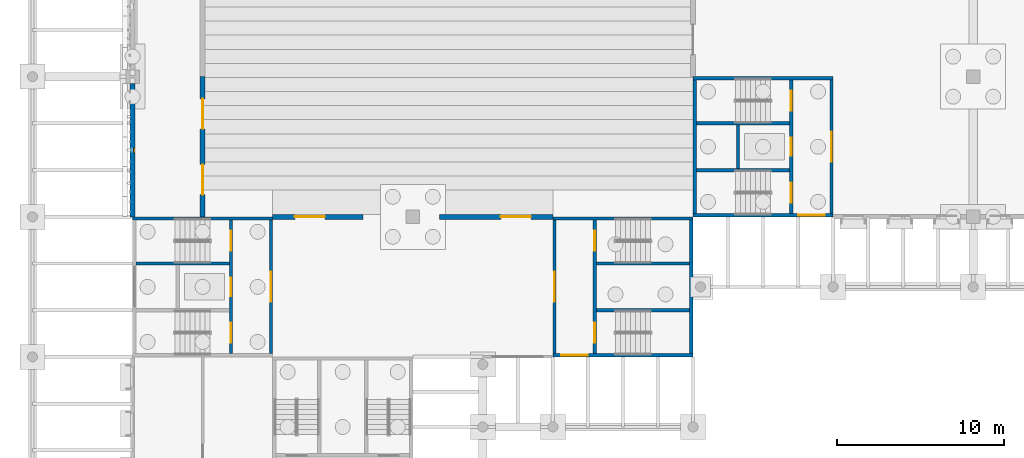
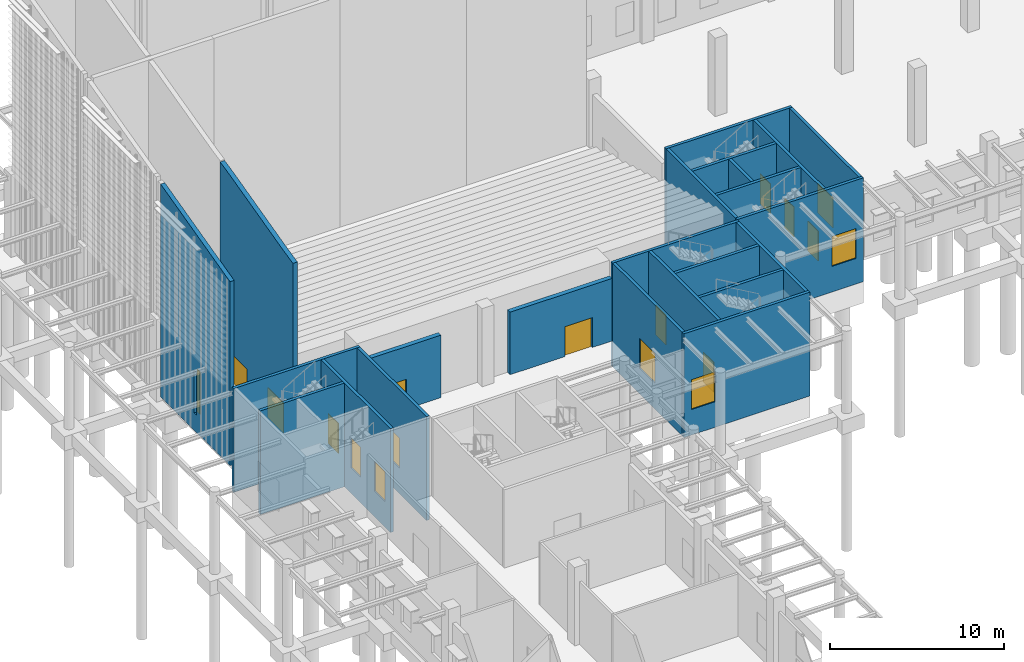
# One storey, part 33 of 82: 23 walls, 17 doors, 1 window, 18 openings.
"""IFC4 building model written with IfcOpenShell, lengths in metres."""

from ifc_helpers import new_model, si_unit, direction, frame, frame_2d, origin, place, context, subcontext, project, spatial, polyline, rectangle, outline, extrude, material, layer, layer_set, type_object, element, fill, save


model = new_model("IFC4")

# Units and contexts
model_context = context("Model", 3, precision=1e-05, world=origin(), true_north=direction((0.0, 1.0)))
body_context = subcontext(model_context, "Body", "Model", "MODEL_VIEW")
ifc_project = project(units=[si_unit("LENGTHUNIT", "METRE"), si_unit("AREAUNIT", "SQUARE_METRE"), si_unit("VOLUMEUNIT", "CUBIC_METRE"), si_unit("PLANEANGLEUNIT", "RADIAN"), si_unit("MASSUNIT", "GRAM", prefix="KILO")], contexts=[model_context])

# Site, building, storey
site_placement = place(None, origin())
site = spatial("IfcSite", under=ifc_project, at=site_placement, CompositionType="ELEMENT")
building_placement = place(site_placement, origin())
building = spatial("IfcBuilding", under=site, at=building_placement, Name="Almond Square Museum", CompositionType="ELEMENT")
storey_placement = place(building_placement, origin())
storey = spatial("IfcBuildingStorey", under=building, at=storey_placement, Name="L00", CompositionType="ELEMENT", Elevation=0.0)

# Wall, openings, doors
ifc_material_1 = material(Name="Acoustic gypsum board on double steel stud", Category="steel")
ifc_layer_1 = layer(ifc_material_1, 0.300048828125)
ifc_layer_set_1 = layer_set([ifc_layer_1], Name="Acoustic gypsum board on double steel stud")
wall_type_1 = type_object("IfcWallType", Name="Acoustic wall 300 double stud", PredefinedType="PARTITIONING", material=ifc_layer_set_1)
wall_1_placement = place(storey_placement, frame((10.199951171875, 84.0, 0.0), z_axis=(0.0, 0.0, 1.0), x_axis=(0.0, 1.0, 0.0)))
wall_1 = element("IfcWall", 1, at=wall_1_placement, inside=storey, type_object=wall_type_1, Name="L00 partition 27", PredefinedType="PARTITIONING", context=body_context, shape_type="SweptSolid", body=[
    extrude(outline(polyline([(0.0, 0.0), (8.39990234375, 0.0), (8.39990234375, 14.81201171875), (7.35009765625, 14.583984375), (6.300048828125, 14.319091796875), (5.25, 14.052978515625), (4.199951171875, 13.7880859375), (2.10009765625, 13.256103515625), (1.050048828125, 12.990966796875), (0.0, 12.762939453125), (0.0, 0.0)])), frame((0.0, 0.14990234375, 0.0), z_axis=(0.0, -1.0, 0.0), x_axis=(1.0, 0.0, 0.0)), (0.0, 0.0, 1.0), 0.300048828125),
])
opening_1_placement = place(wall_1_placement, frame((1.324951171875, 0.0, 0.0)))
opening_1 = element("IfcOpeningElement", 2, at=opening_1_placement, cuts=wall_1, Name="Opening D0147", PredefinedType="OPENING", context=body_context, shape_type="SweptSolid", body=[
    extrude(rectangle(XDim=1.800048828125, YDim=2.10009765625, at=frame_2d((0.89990234375, 1.050048828125))), frame((0.0, 0.159912109375, 0.0), z_axis=(0.0, -1.0, 0.0), x_axis=(1.0, 0.0, 0.0)), (0.0, 0.0, 1.0), 0.320068359375),
])
opening_2_placement = place(wall_1_placement, frame((5.27490234375, 0.0, 0.0)))
opening_2 = element("IfcOpeningElement", 3, at=opening_2_placement, cuts=wall_1, Name="Opening D0148", PredefinedType="OPENING", context=body_context, shape_type="SweptSolid", body=[
    extrude(rectangle(XDim=1.800048828125, YDim=2.10009765625, at=frame_2d((0.89990234375, 1.050048828125))), frame((0.0, 0.159912109375, 0.0), z_axis=(0.0, -1.0, 0.0), x_axis=(1.0, 0.0, 0.0)), (0.0, 0.0, 1.0), 0.320068359375),
])
ifc_material_2 = material(Name="Steel", Category="steel")
door_type_1 = type_object("IfcDoorType", Name="Fire door 1800 x 2100 FD60 double", OperationType="NOTDEFINED", PredefinedType="DOOR", material=ifc_material_2)
door_1_placement = place(opening_1_placement, origin())
door_1 = element("IfcDoor", 4, at=door_1_placement, inside=storey, type_object=door_type_1, Name="L00 door Auditorium Side Passage to Auditorium", OperationType="DOUBLE_DOOR_SINGLE_SWING", OverallHeight=2.10009765625, OverallWidth=1.800048828125, PredefinedType="DOOR", context=body_context, shape_type="SweptSolid", body=[
    extrude(rectangle(XDim=1.800048828125, YDim=2.10009765625, at=frame_2d((0.89990234375, 1.050048828125))), frame((0.0, 0.02490234375, 0.0), z_axis=(0.0, -1.0, 0.0), x_axis=(1.0, 0.0, 0.0)), (0.0, 0.0, 1.0), 0.050048828125),
])
fill(opening_1, door_1)
door_2_placement = place(opening_2_placement, origin())
door_2 = element("IfcDoor", 5, at=door_2_placement, inside=storey, type_object=door_type_1, Name="L00 door Auditorium Side Passage to Auditorium", OperationType="DOUBLE_DOOR_SINGLE_SWING", OverallHeight=2.10009765625, OverallWidth=1.800048828125, PredefinedType="DOOR", context=body_context, shape_type="SweptSolid", body=[
    extrude(rectangle(XDim=1.800048828125, YDim=2.10009765625, at=frame_2d((0.89990234375, 1.050048828125))), frame((0.0, 0.02490234375, 0.0), z_axis=(0.0, -1.0, 0.0), x_axis=(1.0, 0.0, 0.0)), (0.0, 0.0, 1.0), 0.050048828125),
])
fill(opening_2, door_2)

# Wall, opening, door
wall_2_placement = place(storey_placement, frame((24.39990234375, 84.0, 0.0), z_axis=(0.0, 0.0, 1.0), x_axis=(1.0, 0.0, 0.0)))
wall_2 = element("IfcWall", 6, at=wall_2_placement, inside=storey, type_object=wall_type_1, Name="L00 partition 29", PredefinedType="PARTITIONING", context=body_context, shape_type="SweptSolid", body=[
    extrude(rectangle(XDim=6.800048828125, YDim=0.300048828125, at=frame_2d((3.39990234375, 0.0))), origin(), (0.0, 0.0, 1.0), 4.39990234375),
])
opening_3_placement = place(wall_2_placement, frame((3.675048828125, 0.0, 0.0)))
opening_3 = element("IfcOpeningElement", 7, at=opening_3_placement, cuts=wall_2, Name="Opening D0150", PredefinedType="OPENING", context=body_context, shape_type="SweptSolid", body=[
    extrude(rectangle(XDim=1.800048828125, YDim=2.10009765625, at=frame_2d((0.89990234375, 1.050048828125))), frame((0.0, 0.159912109375, 0.0), z_axis=(0.0, -1.0, 0.0), x_axis=(1.0, 0.0, 0.0)), (0.0, 0.0, 1.0), 0.320068359375),
])
door_3_placement = place(opening_3_placement, origin())
door_3 = element("IfcDoor", 8, at=door_3_placement, inside=storey, type_object=door_type_1, Name="L00 door Auditorium to Auditorium Foyer", OperationType="DOUBLE_DOOR_SINGLE_SWING", OverallHeight=2.10009765625, OverallWidth=1.800048828125, PredefinedType="DOOR", context=body_context, shape_type="SweptSolid", body=[
    extrude(rectangle(XDim=1.800048828125, YDim=2.10009765625, at=frame_2d((0.89990234375, 1.050048828125))), frame((0.0, 0.02490234375, 0.0), z_axis=(0.0, -1.0, 0.0), x_axis=(1.0, 0.0, 0.0)), (0.0, 0.0, 1.0), 0.050048828125),
])
fill(opening_3, door_3)

wall_3_placement = place(storey_placement, frame((14.39990234375, 84.0, 0.0), z_axis=(0.0, 0.0, 1.0), x_axis=(1.0, 0.0, 0.0)))
wall_3 = element("IfcWall", 9, at=wall_3_placement, inside=storey, type_object=wall_type_1, Name="L00 partition 30", PredefinedType="PARTITIONING", context=body_context, shape_type="SweptSolid", body=[
    extrude(rectangle(XDim=5.400146484375, YDim=0.300048828125, at=frame_2d((2.7001953125, 0.0))), origin(), (0.0, 0.0, 1.0), 4.39990234375),
])
opening_4_placement = place(wall_3_placement, frame((1.324951171875, 0.0, 0.0)))
opening_4 = element("IfcOpeningElement", 10, at=opening_4_placement, cuts=wall_3, Name="Opening D0149", PredefinedType="OPENING", context=body_context, shape_type="SweptSolid", body=[
    extrude(rectangle(XDim=1.800048828125, YDim=2.10009765625, at=frame_2d((0.89990234375, 1.050048828125))), frame((0.0, 0.159912109375, 0.0), z_axis=(0.0, -1.0, 0.0), x_axis=(1.0, 0.0, 0.0)), (0.0, 0.0, 1.0), 0.320068359375),
])
door_4_placement = place(opening_4_placement, origin())
door_4 = element("IfcDoor", 11, at=door_4_placement, inside=storey, type_object=door_type_1, Name="L00 door Auditorium to Auditorium Foyer", OperationType="DOUBLE_DOOR_SINGLE_SWING", OverallHeight=2.10009765625, OverallWidth=1.800048828125, PredefinedType="DOOR", context=body_context, shape_type="SweptSolid", body=[
    extrude(rectangle(XDim=1.800048828125, YDim=2.10009765625, at=frame_2d((0.89990234375, 1.050048828125))), frame((0.0, 0.02490234375, 0.0), z_axis=(0.0, -1.0, 0.0), x_axis=(1.0, 0.0, 0.0)), (0.0, 0.0, 1.0), 0.050048828125),
])
fill(opening_4, door_4)

# Wall
ifc_material_3 = material(Name="Concrete C40/50", Category="concrete")
ifc_layer_2 = layer(ifc_material_3, 0.199951171875)
ifc_layer_set_2 = layer_set([ifc_layer_2], Name="Concrete C40/50")
wall_type_2 = type_object("IfcWallType", Name="RC shear wall 200 C40/50", PredefinedType="SHEAR", material=ifc_layer_set_2)
wall_4_placement = place(storey_placement, frame((6.0, 83.89990234375, -1.800048828125), z_axis=(0.0, 0.0, 1.0), x_axis=(1.0, 0.0, 0.0)))
element("IfcWall", 12, at=wall_4_placement, inside=storey, type_object=wall_type_2, Name="Core U1 north wall L00", PredefinedType="SHEAR", context=body_context, shape_type="SweptSolid", body=[
    extrude(rectangle(XDim=8.39990234375, YDim=0.199951171875, at=frame_2d((4.199951171875, 0.0))), origin(), (0.0, 0.0, 1.0), 7.300048828125),
])

# Wall, opening, door
wall_5_placement = place(storey_placement, frame((14.300048828125, 75.800048828125, -1.800048828125), z_axis=(0.0, 0.0, 1.0), x_axis=(0.0, 1.0, 0.0)))
wall_5 = element("IfcWall", 13, at=wall_5_placement, inside=storey, type_object=wall_type_2, Name="Core U1 east wall L00", PredefinedType="SHEAR", context=body_context, shape_type="SweptSolid", body=[
    extrude(rectangle(XDim=8.0, YDim=0.199951171875, at=frame_2d((4.0, 0.0))), origin(), (0.0, 0.0, 1.0), 7.300048828125),
])
opening_5_placement = place(wall_5_placement, frame((3.10009765625, 0.0, 1.800048828125)))
opening_5 = element("IfcOpeningElement", 14, at=opening_5_placement, cuts=wall_5, Name="Opening D0178", PredefinedType="OPENING", context=body_context, shape_type="SweptSolid", body=[
    extrude(rectangle(XDim=1.800048828125, YDim=2.10009765625, at=frame_2d((0.89990234375, 1.050048828125))), frame((0.0, 0.10986328125, 0.0), z_axis=(0.0, -1.0, 0.0), x_axis=(1.0, 0.0, 0.0)), (0.0, 0.0, 1.0), 0.219970703125),
])
door_5_placement = place(opening_5_placement, origin())
door_5 = element("IfcDoor", 15, at=door_5_placement, inside=storey, type_object=door_type_1, Name="L00 stair core U1 lobby door", OperationType="DOUBLE_DOOR_SINGLE_SWING", OverallHeight=2.10009765625, OverallWidth=1.800048828125, PredefinedType="DOOR", context=body_context, shape_type="SweptSolid", body=[
    extrude(rectangle(XDim=1.800048828125, YDim=2.10009765625, at=frame_2d((0.89990234375, 1.050048828125))), frame((0.0, 0.02490234375, 0.0), z_axis=(0.0, -1.0, 0.0), x_axis=(1.0, 0.0, 0.0)), (0.0, 0.0, 1.0), 0.050048828125),
])
fill(opening_5, door_5)

# Wall, openings, doors
wall_6_placement = place(storey_placement, frame((11.89990234375, 75.800048828125, -1.800048828125), z_axis=(0.0, 0.0, 1.0), x_axis=(0.0, 1.0, 0.0)))
wall_6 = element("IfcWall", 16, at=wall_6_placement, inside=storey, type_object=wall_type_2, Name="Core U1 lobby wall L00", PredefinedType="SHEAR", context=body_context, shape_type="SweptSolid", body=[
    extrude(rectangle(XDim=8.0, YDim=0.199951171875, at=frame_2d((4.0, 0.0))), origin(), (0.0, 0.0, 1.0), 7.300048828125),
])
opening_6_placement = place(wall_6_placement, frame((0.64990234375, 0.0, 1.800048828125)))
opening_6 = element("IfcOpeningElement", 17, at=opening_6_placement, cuts=wall_6, Name="Opening D0179", PredefinedType="OPENING", context=body_context, shape_type="SweptSolid", body=[
    extrude(rectangle(XDim=1.199951171875, YDim=2.10009765625, at=frame_2d((0.60009765625, 1.050048828125))), frame((0.0, 0.10986328125, 0.0), z_axis=(0.0, -1.0, 0.0), x_axis=(1.0, 0.0, 0.0)), (0.0, 0.0, 1.0), 0.219970703125),
])
opening_7_placement = place(wall_6_placement, frame((6.14990234375, 0.0, 1.800048828125)))
opening_7 = element("IfcOpeningElement", 18, at=opening_7_placement, cuts=wall_6, Name="Opening D0180", PredefinedType="OPENING", context=body_context, shape_type="SweptSolid", body=[
    extrude(rectangle(XDim=1.199951171875, YDim=2.10009765625, at=frame_2d((0.60009765625, 1.050048828125))), frame((0.0, 0.10986328125, 0.0), z_axis=(0.0, -1.0, 0.0), x_axis=(1.0, 0.0, 0.0)), (0.0, 0.0, 1.0), 0.219970703125),
])
opening_8_placement = place(wall_6_placement, frame((3.449951171875, 0.0, 1.800048828125)))
opening_8 = element("IfcOpeningElement", 19, at=opening_8_placement, cuts=wall_6, Name="Opening D0181", PredefinedType="OPENING", context=body_context, shape_type="SweptSolid", body=[
    extrude(rectangle(XDim=1.10009765625, YDim=2.10009765625, at=frame_2d((0.550048828125, 1.050048828125))), frame((0.0, 0.10986328125, 0.0), z_axis=(0.0, -1.0, 0.0), x_axis=(1.0, 0.0, 0.0)), (0.0, 0.0, 1.0), 0.219970703125),
])
ifc_material_4 = material(Name="Steel", Category="steel")
door_type_2 = type_object("IfcDoorType", Name="Fire door 1200 x 2100 FD120 stair", OperationType="NOTDEFINED", PredefinedType="DOOR", material=ifc_material_4)
door_6_placement = place(opening_6_placement, origin())
door_6 = element("IfcDoor", 20, at=door_6_placement, inside=storey, type_object=door_type_2, Name="L00 stair U1-1 door", OperationType="SINGLE_SWING_LEFT", OverallHeight=2.10009765625, OverallWidth=1.199951171875, PredefinedType="DOOR", context=body_context, shape_type="SweptSolid", body=[
    extrude(rectangle(XDim=1.199951171875, YDim=2.10009765625, at=frame_2d((0.60009765625, 1.050048828125))), frame((0.0, 0.02490234375, 0.0), z_axis=(0.0, -1.0, 0.0), x_axis=(1.0, 0.0, 0.0)), (0.0, 0.0, 1.0), 0.050048828125),
])
fill(opening_6, door_6)
door_7_placement = place(opening_7_placement, origin())
door_7 = element("IfcDoor", 21, at=door_7_placement, inside=storey, type_object=door_type_2, Name="L00 stair U1-2 door", OperationType="SINGLE_SWING_RIGHT", OverallHeight=2.10009765625, OverallWidth=1.199951171875, PredefinedType="DOOR", context=body_context, shape_type="SweptSolid", body=[
    extrude(rectangle(XDim=1.199951171875, YDim=2.10009765625, at=frame_2d((0.60009765625, 1.050048828125))), frame((0.0, 0.02490234375, 0.0), z_axis=(0.0, -1.0, 0.0), x_axis=(1.0, 0.0, 0.0)), (0.0, 0.0, 1.0), 0.050048828125),
])
fill(opening_7, door_7)
ifc_material_5 = material(Name="Stainless steel", Category="steel")
door_type_3 = type_object("IfcDoorType", Name="Lift landing door 1100 x 2100", OperationType="NOTDEFINED", PredefinedType="DOOR", material=ifc_material_5)
door_8_placement = place(opening_8_placement, origin())
door_8 = element("IfcDoor", 22, at=door_8_placement, inside=storey, type_object=door_type_3, Name="L00 lift PL-U1 landing door", OperationType="DOUBLE_DOOR_SLIDING", OverallHeight=2.10009765625, OverallWidth=1.10009765625, PredefinedType="DOOR", context=body_context, shape_type="SweptSolid", body=[
    extrude(rectangle(XDim=1.10009765625, YDim=2.10009765625, at=frame_2d((0.550048828125, 1.050048828125))), frame((0.0, 0.02490234375, 0.0), z_axis=(0.0, -1.0, 0.0), x_axis=(1.0, 0.0, 0.0)), (0.0, 0.0, 1.0), 0.050048828125),
])
fill(opening_8, door_8)

# Wall
wall_7_placement = place(storey_placement, frame((6.199951171875, 81.199951171875, -1.800048828125), z_axis=(0.0, 0.0, 1.0), x_axis=(1.0, 0.0, 0.0)))
element("IfcWall", 23, at=wall_7_placement, inside=storey, type_object=wall_type_2, Name="Core U1 partition wall L00", PredefinedType="SHEAR", context=body_context, shape_type="SweptSolid", body=[
    extrude(rectangle(XDim=5.60009765625, YDim=0.199951171875, at=frame_2d((2.800048828125, 0.0))), origin(), (0.0, 0.0, 1.0), 7.300048828125),
])

# Wall, opening, door
wall_8_placement = place(storey_placement, frame((39.60009765625, 75.699951171875, -1.800048828125), z_axis=(0.0, 0.0, 1.0), x_axis=(-1.0, 0.0, 0.0)))
wall_8 = element("IfcWall", 24, at=wall_8_placement, inside=storey, type_object=wall_type_2, Name="Core U2 south wall L00", PredefinedType="SHEAR", context=body_context, shape_type="SweptSolid", body=[
    extrude(rectangle(XDim=8.400146484375, YDim=0.199951171875, at=frame_2d((4.2001953125, 0.0))), origin(), (0.0, 0.0, 1.0), 7.300048828125),
])
opening_9_placement = place(wall_8_placement, frame((6.300048828125, 0.0, 1.800048828125)))
opening_9 = element("IfcOpeningElement", 25, at=opening_9_placement, cuts=wall_8, Name="Opening D025", PredefinedType="OPENING", context=body_context, shape_type="SweptSolid", body=[
    extrude(rectangle(XDim=1.60009765625, YDim=2.10009765625, at=frame_2d((0.800048828125, 1.050048828125))), frame((0.0, 0.10986328125, 0.0), z_axis=(0.0, -1.0, 0.0), x_axis=(1.0, 0.0, 0.0)), (0.0, 0.0, 1.0), 0.219970703125),
])
ifc_material_6 = material(Name="Steel frame and steel leaf", Category="steel")
door_type_4 = type_object("IfcDoorType", Name="Stair exit door pair 1600 x 2100", OperationType="NOTDEFINED", PredefinedType="DOOR", material=ifc_material_6)
door_9_placement = place(opening_9_placement, origin())
door_9 = element("IfcDoor", 26, at=door_9_placement, inside=storey, type_object=door_type_4, Name="Stair Exit U2 door D025", OperationType="DOUBLE_DOOR_SINGLE_SWING", OverallHeight=2.10009765625, OverallWidth=1.60009765625, PredefinedType="DOOR", context=body_context, shape_type="SweptSolid", body=[
    extrude(rectangle(XDim=1.60009765625, YDim=2.10009765625, at=frame_2d((0.800048828125, 1.050048828125))), frame((0.0, 0.02490234375, 0.0), z_axis=(0.0, -1.0, 0.0), x_axis=(1.0, 0.0, 0.0)), (0.0, 0.0, 1.0), 0.050048828125),
])
fill(opening_9, door_9)

# Wall
wall_9_placement = place(storey_placement, frame((31.199951171875, 83.89990234375, -1.800048828125), z_axis=(0.0, 0.0, 1.0), x_axis=(1.0, 0.0, 0.0)))
element("IfcWall", 27, at=wall_9_placement, inside=storey, type_object=wall_type_2, Name="Core U2 north wall L00", PredefinedType="SHEAR", context=body_context, shape_type="SweptSolid", body=[
    extrude(rectangle(XDim=8.400146484375, YDim=0.199951171875, at=frame_2d((4.2001953125, 0.0))), origin(), (0.0, 0.0, 1.0), 7.300048828125),
])

# Wall, opening, door
wall_10_placement = place(storey_placement, frame((31.300048828125, 75.800048828125, -1.800048828125), z_axis=(0.0, 0.0, 1.0), x_axis=(0.0, 1.0, 0.0)))
wall_10 = element("IfcWall", 28, at=wall_10_placement, inside=storey, type_object=wall_type_2, Name="Core U2 west wall L00", PredefinedType="SHEAR", context=body_context, shape_type="SweptSolid", body=[
    extrude(rectangle(XDim=8.0, YDim=0.199951171875, at=frame_2d((4.0, 0.0))), origin(), (0.0, 0.0, 1.0), 7.300048828125),
])
opening_10_placement = place(wall_10_placement, frame((3.10009765625, 0.0, 1.800048828125)))
opening_10 = element("IfcOpeningElement", 29, at=opening_10_placement, cuts=wall_10, Name="Opening D0182", PredefinedType="OPENING", context=body_context, shape_type="SweptSolid", body=[
    extrude(rectangle(XDim=1.800048828125, YDim=2.10009765625, at=frame_2d((0.89990234375, 1.050048828125))), frame((0.0, 0.10986328125, 0.0), z_axis=(0.0, -1.0, 0.0), x_axis=(1.0, 0.0, 0.0)), (0.0, 0.0, 1.0), 0.219970703125),
])
door_10_placement = place(opening_10_placement, origin())
door_10 = element("IfcDoor", 30, at=door_10_placement, inside=storey, type_object=door_type_1, Name="L00 stair core U2 lobby door", OperationType="DOUBLE_DOOR_SINGLE_SWING", OverallHeight=2.10009765625, OverallWidth=1.800048828125, PredefinedType="DOOR", context=body_context, shape_type="SweptSolid", body=[
    extrude(rectangle(XDim=1.800048828125, YDim=2.10009765625, at=frame_2d((0.89990234375, 1.050048828125))), frame((0.0, 0.02490234375, 0.0), z_axis=(0.0, -1.0, 0.0), x_axis=(1.0, 0.0, 0.0)), (0.0, 0.0, 1.0), 0.050048828125),
])
fill(opening_10, door_10)

# Wall
wall_11_placement = place(storey_placement, frame((39.5, 75.800048828125, -1.800048828125), z_axis=(0.0, 0.0, 1.0), x_axis=(0.0, 1.0, 0.0)))
element("IfcWall", 31, at=wall_11_placement, inside=storey, type_object=wall_type_2, Name="Core U2 east wall L00", PredefinedType="SHEAR", context=body_context, shape_type="SweptSolid", body=[
    extrude(rectangle(XDim=8.0, YDim=0.199951171875, at=frame_2d((4.0, 0.0))), origin(), (0.0, 0.0, 1.0), 7.300048828125),
])

# Wall, openings, doors
wall_12_placement = place(storey_placement, frame((33.699951171875, 75.800048828125, -1.800048828125), z_axis=(0.0, 0.0, 1.0), x_axis=(0.0, 1.0, 0.0)))
wall_12 = element("IfcWall", 32, at=wall_12_placement, inside=storey, type_object=wall_type_2, Name="Core U2 lobby wall L00", PredefinedType="SHEAR", context=body_context, shape_type="SweptSolid", body=[
    extrude(rectangle(XDim=8.0, YDim=0.199951171875, at=frame_2d((4.0, 0.0))), origin(), (0.0, 0.0, 1.0), 7.300048828125),
])
opening_11_placement = place(wall_12_placement, frame((0.64990234375, 0.0, 1.800048828125)))
opening_11 = element("IfcOpeningElement", 33, at=opening_11_placement, cuts=wall_12, Name="Opening D0183", PredefinedType="OPENING", context=body_context, shape_type="SweptSolid", body=[
    extrude(rectangle(XDim=1.199951171875, YDim=2.10009765625, at=frame_2d((0.60009765625, 1.050048828125))), frame((0.0, 0.10986328125, 0.0), z_axis=(0.0, -1.0, 0.0), x_axis=(1.0, 0.0, 0.0)), (0.0, 0.0, 1.0), 0.219970703125),
])
opening_12_placement = place(wall_12_placement, frame((6.14990234375, 0.0, 1.800048828125)))
opening_12 = element("IfcOpeningElement", 34, at=opening_12_placement, cuts=wall_12, Name="Opening D0184", PredefinedType="OPENING", context=body_context, shape_type="SweptSolid", body=[
    extrude(rectangle(XDim=1.199951171875, YDim=2.10009765625, at=frame_2d((0.60009765625, 1.050048828125))), frame((0.0, 0.10986328125, 0.0), z_axis=(0.0, -1.0, 0.0), x_axis=(1.0, 0.0, 0.0)), (0.0, 0.0, 1.0), 0.219970703125),
])
door_11_placement = place(opening_11_placement, origin())
door_11 = element("IfcDoor", 35, at=door_11_placement, inside=storey, type_object=door_type_2, Name="L00 stair U2-1 door", OperationType="SINGLE_SWING_LEFT", OverallHeight=2.10009765625, OverallWidth=1.199951171875, PredefinedType="DOOR", context=body_context, shape_type="SweptSolid", body=[
    extrude(rectangle(XDim=1.199951171875, YDim=2.10009765625, at=frame_2d((0.60009765625, 1.050048828125))), frame((0.0, 0.02490234375, 0.0), z_axis=(0.0, -1.0, 0.0), x_axis=(1.0, 0.0, 0.0)), (0.0, 0.0, 1.0), 0.050048828125),
])
fill(opening_11, door_11)
door_12_placement = place(opening_12_placement, origin())
door_12 = element("IfcDoor", 36, at=door_12_placement, inside=storey, type_object=door_type_2, Name="L00 stair U2-2 door", OperationType="SINGLE_SWING_RIGHT", OverallHeight=2.10009765625, OverallWidth=1.199951171875, PredefinedType="DOOR", context=body_context, shape_type="SweptSolid", body=[
    extrude(rectangle(XDim=1.199951171875, YDim=2.10009765625, at=frame_2d((0.60009765625, 1.050048828125))), frame((0.0, 0.02490234375, 0.0), z_axis=(0.0, -1.0, 0.0), x_axis=(1.0, 0.0, 0.0)), (0.0, 0.0, 1.0), 0.050048828125),
])
fill(opening_12, door_12)

# Walls
for number, where, z_axis, x_axis, name in (
    (37, (33.800048828125, 78.39990234375, -1.800048828125), (0.0, 0.0, 1.0), (1.0, 0.0, 0.0), "Core U2 partition wall L00"),
    (38, (33.800048828125, 81.199951171875, -1.800048828125), (0.0, 0.0, 1.0), (1.0, 0.0, 0.0), "Core U2 partition wall L00"),
):
    element("IfcWall", number, at=place(storey_placement, frame(where, z_axis=z_axis, x_axis=x_axis)), inside=storey, type_object=wall_type_2, Name=name, PredefinedType="SHEAR", context=body_context, shape_type="SweptSolid", body=[
        extrude(rectangle(XDim=5.599853515625, YDim=0.199951171875, at=frame_2d((2.7998046875, 0.0))), origin(), (0.0, 0.0, 1.0), 7.300048828125),
    ])

# Wall, opening, door
wall_13_placement = place(storey_placement, frame((48.0, 84.10009765625, -1.800048828125), z_axis=(0.0, 0.0, 1.0), x_axis=(-1.0, 0.0, 0.0)))
wall_13 = element("IfcWall", 39, at=wall_13_placement, inside=storey, type_object=wall_type_2, Name="Core N1 south wall L00", PredefinedType="SHEAR", context=body_context, shape_type="SweptSolid", body=[
    extrude(rectangle(XDim=8.39990234375, YDim=0.199951171875, at=frame_2d((4.199951171875, 0.0))), origin(), (0.0, 0.0, 1.0), 7.300048828125),
])
opening_13_placement = place(wall_13_placement, frame((0.5, 0.0, 1.800048828125)))
opening_13 = element("IfcOpeningElement", 40, at=opening_13_placement, cuts=wall_13, Name="Opening D026", PredefinedType="OPENING", context=body_context, shape_type="SweptSolid", body=[
    extrude(rectangle(XDim=1.60009765625, YDim=2.10009765625, at=frame_2d((0.800048828125, 1.050048828125))), frame((0.0, 0.10986328125, 0.0), z_axis=(0.0, -1.0, 0.0), x_axis=(1.0, 0.0, 0.0)), (0.0, 0.0, 1.0), 0.219970703125),
])
door_13_placement = place(opening_13_placement, origin())
door_13 = element("IfcDoor", 41, at=door_13_placement, inside=storey, type_object=door_type_4, Name="Stair Exit N1 door D026", OperationType="DOUBLE_DOOR_SINGLE_SWING", OverallHeight=2.10009765625, OverallWidth=1.60009765625, PredefinedType="DOOR", context=body_context, shape_type="SweptSolid", body=[
    extrude(rectangle(XDim=1.60009765625, YDim=2.10009765625, at=frame_2d((0.800048828125, 1.050048828125))), frame((0.0, 0.02490234375, 0.0), z_axis=(0.0, -1.0, 0.0), x_axis=(1.0, 0.0, 0.0)), (0.0, 0.0, 1.0), 0.050048828125),
])
fill(opening_13, door_13)

# Walls
wall_14_placement = place(storey_placement, frame((39.60009765625, 92.300048828125, -1.800048828125), z_axis=(0.0, 0.0, 1.0), x_axis=(1.0, 0.0, 0.0)))
element("IfcWall", 42, at=wall_14_placement, inside=storey, type_object=wall_type_2, Name="Core N1 north wall L00", PredefinedType="SHEAR", context=body_context, shape_type="SweptSolid", body=[
    extrude(rectangle(XDim=8.39990234375, YDim=0.199951171875, at=frame_2d((4.199951171875, 0.0))), origin(), (0.0, 0.0, 1.0), 7.300048828125),
])
wall_15_placement = place(storey_placement, frame((39.699951171875, 84.199951171875, -1.800048828125), z_axis=(0.0, 0.0, 1.0), x_axis=(0.0, 1.0, 0.0)))
element("IfcWall", 43, at=wall_15_placement, inside=storey, type_object=wall_type_2, Name="Core N1 west wall L00", PredefinedType="SHEAR", context=body_context, shape_type="SweptSolid", body=[
    extrude(rectangle(XDim=8.0, YDim=0.199951171875, at=frame_2d((4.0, 0.0))), origin(), (0.0, 0.0, 1.0), 7.300048828125),
])

# Wall, opening, door
wall_16_placement = place(storey_placement, frame((47.89990234375, 84.199951171875, -1.800048828125), z_axis=(0.0, 0.0, 1.0), x_axis=(0.0, 1.0, 0.0)))
wall_16 = element("IfcWall", 44, at=wall_16_placement, inside=storey, type_object=wall_type_2, Name="Core N1 east wall L00", PredefinedType="SHEAR", context=body_context, shape_type="SweptSolid", body=[
    extrude(rectangle(XDim=8.0, YDim=0.199951171875, at=frame_2d((4.0, 0.0))), origin(), (0.0, 0.0, 1.0), 7.300048828125),
])
opening_14_placement = place(wall_16_placement, frame((3.10009765625, 0.0, 1.800048828125)))
opening_14 = element("IfcOpeningElement", 45, at=opening_14_placement, cuts=wall_16, Name="Opening D0185", PredefinedType="OPENING", context=body_context, shape_type="SweptSolid", body=[
    extrude(rectangle(XDim=1.800048828125, YDim=2.10009765625, at=frame_2d((0.89990234375, 1.050048828125))), frame((0.0, 0.10986328125, 0.0), z_axis=(0.0, -1.0, 0.0), x_axis=(1.0, 0.0, 0.0)), (0.0, 0.0, 1.0), 0.219970703125),
])
door_14_placement = place(opening_14_placement, origin())
door_14 = element("IfcDoor", 46, at=door_14_placement, inside=storey, type_object=door_type_1, Name="L00 stair core N1 lobby door", OperationType="DOUBLE_DOOR_SINGLE_SWING", OverallHeight=2.10009765625, OverallWidth=1.800048828125, PredefinedType="DOOR", context=body_context, shape_type="SweptSolid", body=[
    extrude(rectangle(XDim=1.800048828125, YDim=2.10009765625, at=frame_2d((0.89990234375, 1.050048828125))), frame((0.0, 0.02490234375, 0.0), z_axis=(0.0, -1.0, 0.0), x_axis=(1.0, 0.0, 0.0)), (0.0, 0.0, 1.0), 0.050048828125),
])
fill(opening_14, door_14)

# Wall, openings, doors
wall_17_placement = place(storey_placement, frame((45.5, 84.199951171875, -1.800048828125), z_axis=(0.0, 0.0, 1.0), x_axis=(0.0, 1.0, 0.0)))
wall_17 = element("IfcWall", 47, at=wall_17_placement, inside=storey, type_object=wall_type_2, Name="Core N1 lobby wall L00", PredefinedType="SHEAR", context=body_context, shape_type="SweptSolid", body=[
    extrude(rectangle(XDim=8.0, YDim=0.199951171875, at=frame_2d((4.0, 0.0))), origin(), (0.0, 0.0, 1.0), 7.300048828125),
])
opening_15_placement = place(wall_17_placement, frame((0.64990234375, 0.0, 1.800048828125)))
opening_15 = element("IfcOpeningElement", 48, at=opening_15_placement, cuts=wall_17, Name="Opening D0186", PredefinedType="OPENING", context=body_context, shape_type="SweptSolid", body=[
    extrude(rectangle(XDim=1.199951171875, YDim=2.10009765625, at=frame_2d((0.60009765625, 1.050048828125))), frame((0.0, 0.10986328125, 0.0), z_axis=(0.0, -1.0, 0.0), x_axis=(1.0, 0.0, 0.0)), (0.0, 0.0, 1.0), 0.219970703125),
])
opening_16_placement = place(wall_17_placement, frame((6.14990234375, 0.0, 1.800048828125)))
opening_16 = element("IfcOpeningElement", 49, at=opening_16_placement, cuts=wall_17, Name="Opening D0187", PredefinedType="OPENING", context=body_context, shape_type="SweptSolid", body=[
    extrude(rectangle(XDim=1.199951171875, YDim=2.10009765625, at=frame_2d((0.60009765625, 1.050048828125))), frame((0.0, 0.10986328125, 0.0), z_axis=(0.0, -1.0, 0.0), x_axis=(1.0, 0.0, 0.0)), (0.0, 0.0, 1.0), 0.219970703125),
])
opening_17_placement = place(wall_17_placement, frame((3.449951171875, 0.0, 1.800048828125)))
opening_17 = element("IfcOpeningElement", 50, at=opening_17_placement, cuts=wall_17, Name="Opening D0188", PredefinedType="OPENING", context=body_context, shape_type="SweptSolid", body=[
    extrude(rectangle(XDim=1.10009765625, YDim=2.10009765625, at=frame_2d((0.550048828125, 1.050048828125))), frame((0.0, 0.10986328125, 0.0), z_axis=(0.0, -1.0, 0.0), x_axis=(1.0, 0.0, 0.0)), (0.0, 0.0, 1.0), 0.219970703125),
])
door_15_placement = place(opening_15_placement, origin())
door_15 = element("IfcDoor", 51, at=door_15_placement, inside=storey, type_object=door_type_2, Name="L00 stair N1-1 door", OperationType="SINGLE_SWING_LEFT", OverallHeight=2.10009765625, OverallWidth=1.199951171875, PredefinedType="DOOR", context=body_context, shape_type="SweptSolid", body=[
    extrude(rectangle(XDim=1.199951171875, YDim=2.10009765625, at=frame_2d((0.60009765625, 1.050048828125))), frame((0.0, 0.02490234375, 0.0), z_axis=(0.0, -1.0, 0.0), x_axis=(1.0, 0.0, 0.0)), (0.0, 0.0, 1.0), 0.050048828125),
])
fill(opening_15, door_15)
door_16_placement = place(opening_16_placement, origin())
door_16 = element("IfcDoor", 52, at=door_16_placement, inside=storey, type_object=door_type_2, Name="L00 stair N1-2 door", OperationType="SINGLE_SWING_RIGHT", OverallHeight=2.10009765625, OverallWidth=1.199951171875, PredefinedType="DOOR", context=body_context, shape_type="SweptSolid", body=[
    extrude(rectangle(XDim=1.199951171875, YDim=2.10009765625, at=frame_2d((0.60009765625, 1.050048828125))), frame((0.0, 0.02490234375, 0.0), z_axis=(0.0, -1.0, 0.0), x_axis=(1.0, 0.0, 0.0)), (0.0, 0.0, 1.0), 0.050048828125),
])
fill(opening_16, door_16)
door_17_placement = place(opening_17_placement, origin())
door_17 = element("IfcDoor", 53, at=door_17_placement, inside=storey, type_object=door_type_3, Name="L00 lift PL-N1 landing door", OperationType="DOUBLE_DOOR_SLIDING", OverallHeight=2.10009765625, OverallWidth=1.10009765625, PredefinedType="DOOR", context=body_context, shape_type="SweptSolid", body=[
    extrude(rectangle(XDim=1.10009765625, YDim=2.10009765625, at=frame_2d((0.550048828125, 1.050048828125))), frame((0.0, 0.02490234375, 0.0), z_axis=(0.0, -1.0, 0.0), x_axis=(1.0, 0.0, 0.0)), (0.0, 0.0, 1.0), 0.050048828125),
])
fill(opening_17, door_17)

# Walls
for number, where, z_axis, x_axis, name in (
    (54, (39.800048828125, 86.800048828125, -1.800048828125), (0.0, 0.0, 1.0), (1.0, 0.0, 0.0), "Core N1 partition wall L00"),
    (55, (39.800048828125, 89.60009765625, -1.800048828125), (0.0, 0.0, 1.0), (1.0, 0.0, 0.0), "Core N1 partition wall L00"),
):
    element("IfcWall", number, at=place(storey_placement, frame(where, z_axis=z_axis, x_axis=x_axis)), inside=storey, type_object=wall_type_2, Name=name, PredefinedType="SHEAR", context=body_context, shape_type="SweptSolid", body=[
        extrude(rectangle(XDim=5.599853515625, YDim=0.199951171875, at=frame_2d((2.7998046875, 0.0))), origin(), (0.0, 0.0, 1.0), 7.300048828125),
    ])
wall_18_placement = place(storey_placement, frame((42.300048828125, 86.89990234375, -1.800048828125), z_axis=(0.0, 0.0, 1.0), x_axis=(0.0, 1.0, 0.0)))
element("IfcWall", 56, at=wall_18_placement, inside=storey, type_object=wall_type_2, Name="Core N1 partition wall L00", PredefinedType="SHEAR", context=body_context, shape_type="SweptSolid", body=[
    extrude(rectangle(XDim=2.60009765625, YDim=0.199951171875, at=frame_2d((1.300048828125, 0.0))), origin(), (0.0, 0.0, 1.0), 7.300048828125),
])

# Wall, opening, window
ifc_material_7 = material(Name="Concrete C30/37", Category="concrete")
ifc_layer_3 = layer(ifc_material_7, 0.280029296875)
ifc_layer_set_3 = layer_set([ifc_layer_3], Name="Concrete C30/37")
wall_type_3 = type_object("IfcWallType", Name="Timber rainscreen wall 280 on concrete, load-bearing", PredefinedType="SOLIDWALL", material=ifc_layer_set_3)
wall_19_placement = place(storey_placement, frame((6.0, 84.0, 0.0), z_axis=(0.0, 0.0, 1.0), x_axis=(0.0, 1.0, 0.0)))
wall_19 = element("IfcWall", 57, at=wall_19_placement, inside=storey, type_object=wall_type_3, Name="External wall W3L V3 L00 W03", PredefinedType="SOLIDWALL", context=body_context, shape_type="SweptSolid", body=[
    extrude(outline(polyline([(0.0, 0.0), (8.0, 0.0), (8.0, 14.968017578125), (0.0, 12.944091796875), (0.0, 0.0)])), frame((0.0, 0.14013671875, 0.0), z_axis=(0.0, -1.0, 0.0), x_axis=(1.0, 0.0, 0.0)), (0.0, 0.0, 1.0), 0.280029296875),
])
opening_18_placement = place(wall_19_placement, frame((3.85009765625, 0.0, 1.199951171875)))
opening_18 = element("IfcOpeningElement", 58, at=opening_18_placement, cuts=wall_19, Name="Opening W0121", PredefinedType="OPENING", context=body_context, shape_type="SweptSolid", body=[
    extrude(rectangle(XDim=0.300048828125, YDim=3.0, at=frame_2d((0.14990234375, 1.5))), frame((0.0, 0.14990234375, 0.0), z_axis=(0.0, -1.0, 0.0), x_axis=(1.0, 0.0, 0.0)), (0.0, 0.0, 1.0), 0.300048828125),
])
ifc_material_8 = material(Name="Timber frame and laminated glass", Category="wood")
window_type = type_object("IfcWindowType", Name="Vertical slit window", PartitioningType="SINGLE_PANEL", PredefinedType="WINDOW", material=ifc_material_8)
window_placement = place(opening_18_placement, origin())
window = element("IfcWindow", 59, at=window_placement, inside=storey, type_object=window_type, Name="Vertical slit window W0121", OverallHeight=3.0, OverallWidth=0.300048828125, PartitioningType="SINGLE_PANEL", PredefinedType="WINDOW", context=body_context, shape_type="SweptSolid", body=[
    extrude(rectangle(XDim=0.300048828125, YDim=3.0, at=frame_2d((0.14990234375, 1.5))), frame((0.0, -0.06005859375, 0.0), z_axis=(0.0, -1.0, 0.0), x_axis=(1.0, 0.0, 0.0)), (0.0, 0.0, 1.0), 0.06005859375),
])
fill(opening_18, window)

save(model, "model.ifc")
